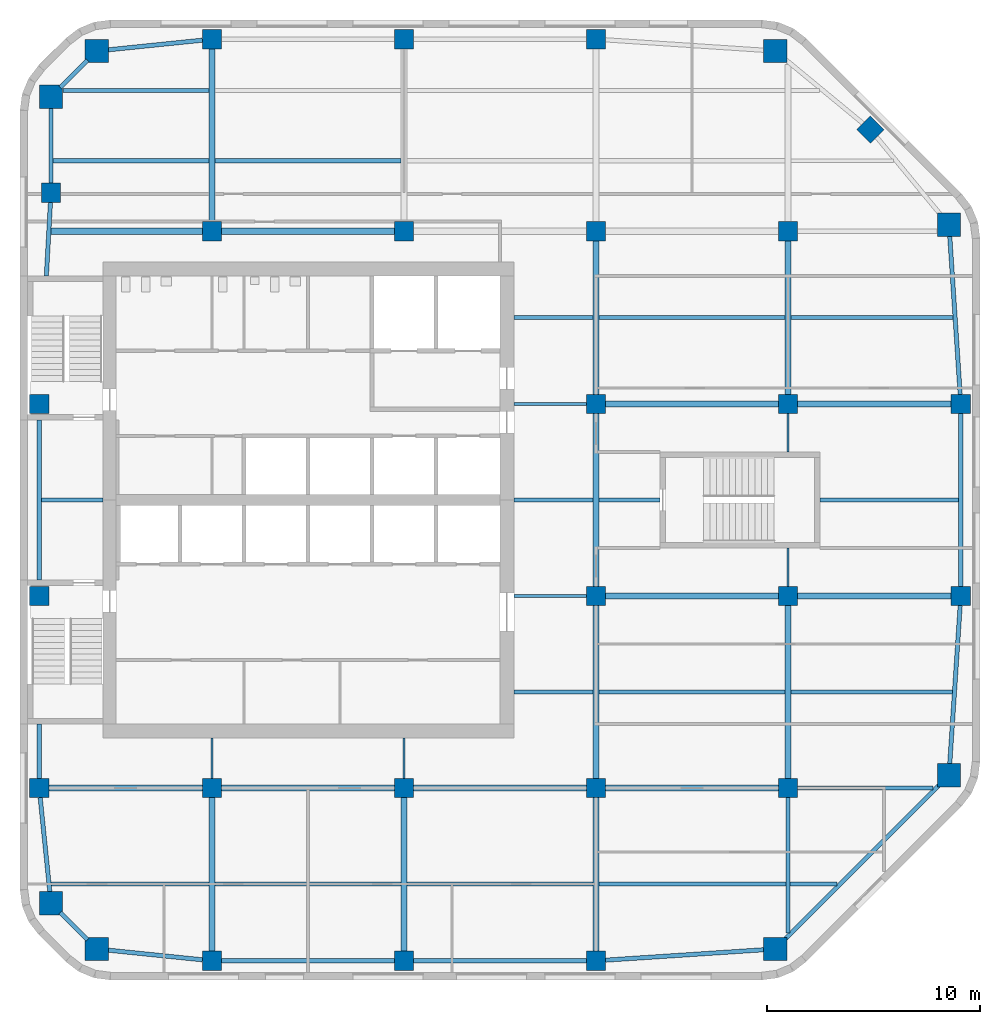
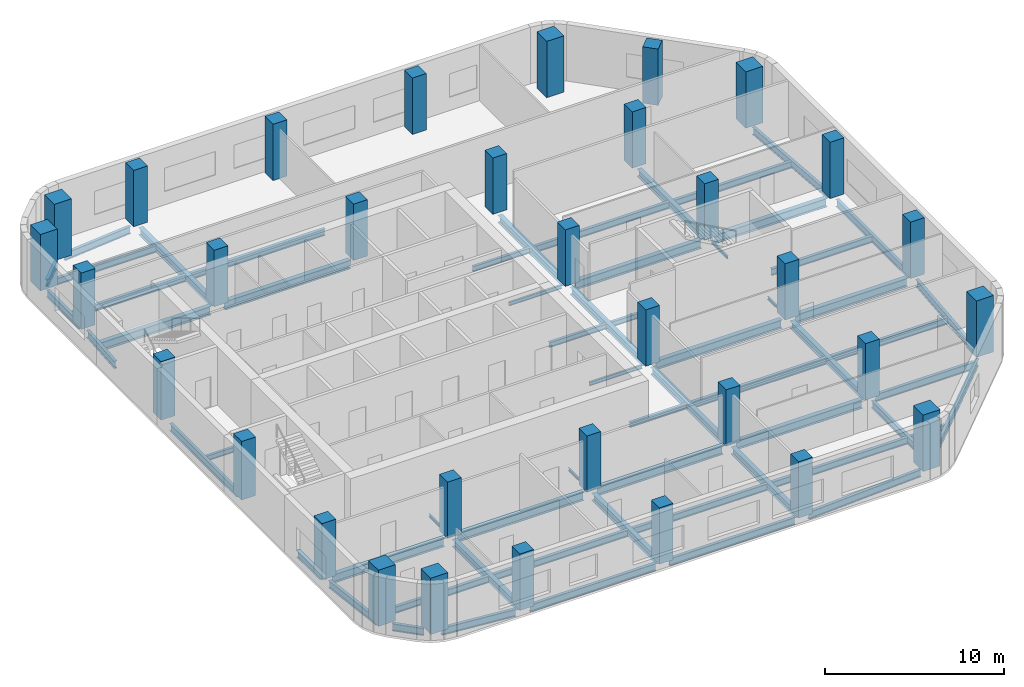
# One storey, part 1 of 8: 61 beams, 33 columns.
"""IFC4 building model written with IfcOpenShell, lengths in metres."""

from ifc_helpers import new_model, si_unit, direction, frame, origin, origin_2d, place, context, subcontext, project, spatial, rectangle, i_section, extrude, material, material_profile, profile_set, type_object, element, save


model = new_model("IFC4")

# Units and contexts
model_context = context("Model", 3, precision=1e-05, world=origin(), true_north=direction((0.0, 1.0)))
body_context = subcontext(model_context, "Body", "Model", "MODEL_VIEW")
ifc_project = project(units=[si_unit("LENGTHUNIT", "METRE"), si_unit("AREAUNIT", "SQUARE_METRE"), si_unit("VOLUMEUNIT", "CUBIC_METRE"), si_unit("PLANEANGLEUNIT", "RADIAN"), si_unit("MASSUNIT", "GRAM", prefix="KILO")], contexts=[model_context])

# Site, building, storey
site_placement = place(None, origin())
site = spatial("IfcSite", under=ifc_project, at=site_placement, CompositionType="ELEMENT")
building_placement = place(site_placement, origin())
building = spatial("IfcBuilding", under=site, at=building_placement, Name="Cinnabar Reach Civic Tower", CompositionType="ELEMENT")
storey_placement = place(building_placement, frame((0.0, 0.0, 177.0)))
storey = spatial("IfcBuildingStorey", under=building, at=storey_placement, Name="L42", CompositionType="ELEMENT", Elevation=177.0)

# Columns
ifc_material_1 = material(Name="Concrete C80", Category="concrete")
ifc_material_profile_1 = material_profile(ifc_material_1, rectangle(XDim=1.1, YDim=1.1, at=origin_2d()), Name="RC1100")
ifc_profile_set_1 = profile_set([ifc_material_profile_1], Name="Concrete C80")
column_type_1 = type_object("IfcColumnType", Name="RC1100 column R 240", PredefinedType="COLUMN", material=ifc_profile_set_1)
for number, where, z_axis, x_axis, name in (
    (1, (3.6019, 10.4531, 0.0), (0.0, 0.0, 1.0), (1.0, 0.0, 0.0), "Column T1-Z3-CC0"),
    (2, (35.3981, 10.4531, 0.0), (0.0, 0.0, 1.0), (1.0, 0.0, 0.0), "Column T1-Z3-CC1"),
    (3, (43.5469, 18.6019, 0.0), (0.0, 0.0, 1.0), (1.0, 0.0, 0.0), "Column T1-Z3-CC2"),
    (4, (43.5469, 44.3981, 0.0), (0.0, 0.0, 1.0), (1.0, 0.0, 0.0), "Column T1-Z3-CC3"),
    (5, (35.3981, 52.5469, 0.0), (0.0, 0.0, 1.0), (1.0, 0.0, 0.0), "Column T1-Z3-CC4"),
    (6, (3.6019, 52.5469, 0.0), (0.0, 0.0, 1.0), (1.0, 0.0, 0.0), "Column T1-Z3-CC5"),
    (7, (1.4531, 50.3981, 0.0), (0.0, 0.0, 1.0), (1.0, 0.0, 0.0), "Column T1-Z3-CC6"),
    (8, (1.4531, 12.6019, 0.0), (0.0, 0.0, 1.0), (1.0, 0.0, 0.0), "Column T1-Z3-CC7"),
):
    element("IfcColumn", number, at=place(storey_placement, frame(where, z_axis=z_axis, x_axis=x_axis)), inside=storey, type_object=column_type_1, Name=name, PredefinedType="COLUMN", context=body_context, shape_type="SweptSolid", body=[
        extrude(rectangle(XDim=1.1, YDim=1.1, at=origin_2d()), origin(), (0.0, 0.0, 1.0), 3.85),
    ])
ifc_material_2 = material(Name="Concrete C70", Category="concrete")
ifc_material_profile_2 = material_profile(ifc_material_2, rectangle(XDim=0.9, YDim=0.9, at=origin_2d()), Name="RC900")
ifc_profile_set_2 = profile_set([ifc_material_profile_2], Name="Concrete C70")
column_type_2 = type_object("IfcColumnType", Name="RC900 column R 240", PredefinedType="COLUMN", material=ifc_profile_set_2)
for number, where, z_axis, x_axis, name in (
    (9, (9.0, 9.9, 0.0), (0.0, 0.0, 1.0), (1.0, 0.0, 0.0), "Column T1-Z3-F0-1"),
    (10, (18.0, 9.9, 0.0), (0.0, 0.0, 1.0), (1.0, 0.0, 0.0), "Column T1-Z3-F0-2"),
    (11, (27.0, 9.9, 0.0), (0.0, 0.0, 1.0), (1.0, 0.0, 0.0), "Column T1-Z3-F0-3"),
    (12, (44.1, 27.0, 0.0), (0.0, 0.0, 1.0), (1.0, 0.0, 0.0), "Column T1-Z3-F2-3"),
    (13, (44.1, 36.0, 0.0), (0.0, 0.0, 1.0), (1.0, 0.0, 0.0), "Column T1-Z3-F2-4"),
    (14, (39.8636, 48.8636, 0.0), (0.0, 0.0, 1.0), (0.707106781187, 0.707106781187, 0.0), "Column T1-Z3-F3-M"),
    (15, (9.0, 53.1, 0.0), (0.0, 0.0, 1.0), (1.0, 0.0, 0.0), "Column T1-Z3-F4-1"),
    (16, (18.0, 53.1, 0.0), (0.0, 0.0, 1.0), (1.0, 0.0, 0.0), "Column T1-Z3-F4-2"),
    (17, (27.0, 53.1, 0.0), (0.0, 0.0, 1.0), (1.0, 0.0, 0.0), "Column T1-Z3-F4-3"),
    (18, (0.9, 18.0, 0.0), (0.0, 0.0, 1.0), (1.0, 0.0, 0.0), "Column T1-Z3-F6-2"),
):
    element("IfcColumn", number, at=place(storey_placement, frame(where, z_axis=z_axis, x_axis=x_axis)), inside=storey, type_object=column_type_2, Name=name, PredefinedType="COLUMN", context=body_context, shape_type="SweptSolid", body=[
        extrude(rectangle(XDim=0.9, YDim=0.9, at=origin_2d()), origin(), (0.0, 0.0, 1.0), 3.85),
    ])
for number, where, z_axis, x_axis, name in (
    (19, (0.9, 27.0, 0.0), (0.0, 0.0, 1.0), (1.0, 0.0, 0.0), "Column T1-Z3-F6-3"),
    (20, (0.9, 36.0, 0.0), (0.0, 0.0, 1.0), (1.0, 0.0, 0.0), "Column T1-Z3-F6-4"),
):
    element("IfcColumn", number, at=place(storey_placement, frame(where, z_axis=z_axis, x_axis=x_axis)), inside=storey, type_object=column_type_2, Name=name, PredefinedType="COLUMN", context=body_context, shape_type="SweptSolid", body=[
        extrude(rectangle(XDim=0.9, YDim=0.9, at=origin_2d()), origin(), (0.0, 0.0, 1.0), 4.0),
    ])
for number, where, z_axis, x_axis, name in (
    (21, (1.4531, 45.8981, 0.0), (0.0, 0.0, 1.0), (1.0, 0.0, 0.0), "Column T1-Z3-F6-5"),
    (22, (9.0, 18.0, 0.0), (0.0, 0.0, 1.0), (1.0, 0.0, 0.0), "Column T1-Z3-I9_18"),
    (23, (9.0, 44.1, 0.0), (0.0, 0.0, 1.0), (1.0, 0.0, 0.0), "Column T1-Z3-I9_45"),
    (24, (18.0, 18.0, 0.0), (0.0, 0.0, 1.0), (1.0, 0.0, 0.0), "Column T1-Z3-I18_18"),
    (25, (18.0, 44.1, 0.0), (0.0, 0.0, 1.0), (1.0, 0.0, 0.0), "Column T1-Z3-I18_45"),
    (26, (27.0, 18.0, 0.0), (0.0, 0.0, 1.0), (1.0, 0.0, 0.0), "Column T1-Z3-I27_18"),
    (27, (27.0, 27.0, 0.0), (0.0, 0.0, 1.0), (1.0, 0.0, 0.0), "Column T1-Z3-I27_27"),
    (28, (27.0, 36.0, 0.0), (0.0, 0.0, 1.0), (1.0, 0.0, 0.0), "Column T1-Z3-I27_36"),
    (29, (27.0, 44.1, 0.0), (0.0, 0.0, 1.0), (1.0, 0.0, 0.0), "Column T1-Z3-I27_45"),
    (30, (36.0, 18.0, 0.0), (0.0, 0.0, 1.0), (1.0, 0.0, 0.0), "Column T1-Z3-I36_18"),
    (31, (36.0, 27.0, 0.0), (0.0, 0.0, 1.0), (1.0, 0.0, 0.0), "Column T1-Z3-I36_27"),
    (32, (36.0, 36.0, 0.0), (0.0, 0.0, 1.0), (1.0, 0.0, 0.0), "Column T1-Z3-I36_36"),
    (33, (36.0, 44.1, 0.0), (0.0, 0.0, 1.0), (1.0, 0.0, 0.0), "Column T1-Z3-I36_45"),
):
    element("IfcColumn", number, at=place(storey_placement, frame(where, z_axis=z_axis, x_axis=x_axis)), inside=storey, type_object=column_type_2, Name=name, PredefinedType="COLUMN", context=body_context, shape_type="SweptSolid", body=[
        extrude(rectangle(XDim=0.9, YDim=0.9, at=origin_2d()), origin(), (0.0, 0.0, 1.0), 3.85),
    ])

# Beams
ifc_material_3 = material(Name="Steel Q355B", Category="steel")
ifc_material_profile_3 = material_profile(ifc_material_3, i_section(OverallWidth=0.3, OverallDepth=0.488, WebThickness=0.011, FlangeThickness=0.018, FilletRadius=0.016, at=origin_2d()), Name="HM488x300x11x18")
ifc_profile_set_3 = profile_set([ifc_material_profile_3], Name="Steel Q355B")
beam_type_1 = type_object("IfcBeamType", Name="HM488x300x11x18 beam R 180", PredefinedType="BEAM", material=ifc_profile_set_3)
beam_1_placement = place(storey_placement, frame((9.0, 10.352, -0.394), z_axis=(0.0, 1.0, 0.0), x_axis=(-1.0, 0.0, 0.0)))
element("IfcBeam", 34, at=beam_1_placement, inside=storey, type_object=beam_type_1, Name="Girder T1 L42 1", PredefinedType="BEAM", context=body_context, shape_type="SweptSolid", body=[
    extrude(i_section(OverallWidth=0.3, OverallDepth=0.488, WebThickness=0.011, FlangeThickness=0.018, FilletRadius=0.016, at=origin_2d()), origin(), (0.0, 0.0, 1.0), 7.196),
])
beam_2_placement = place(storey_placement, frame((9.0, 44.552, -0.394), z_axis=(0.0, 1.0, 0.0), x_axis=(-1.0, 0.0, 0.0)))
element("IfcBeam", 35, at=beam_2_placement, inside=storey, type_object=beam_type_1, Name="Girder T1 L42 3", PredefinedType="BEAM", context=body_context, shape_type="SweptSolid", body=[
    extrude(i_section(OverallWidth=0.3, OverallDepth=0.488, WebThickness=0.011, FlangeThickness=0.018, FilletRadius=0.016, at=origin_2d()), origin(), (0.0, 0.0, 1.0), 8.096),
])
for number, where, z_axis, x_axis, name in (
    (36, (18.0, 10.352, -0.394), (0.0, 1.0, 0.0), (-1.0, 0.0, 0.0), "Girder T1 L42 4"),
    (37, (27.0, 10.352, -0.394), (0.0, 1.0, 0.0), (-1.0, 0.0, 0.0), "Girder T1 L42 7"),
):
    element("IfcBeam", number, at=place(storey_placement, frame(where, z_axis=z_axis, x_axis=x_axis)), inside=storey, type_object=beam_type_1, Name=name, PredefinedType="BEAM", context=body_context, shape_type="SweptSolid", body=[
        extrude(i_section(OverallWidth=0.3, OverallDepth=0.488, WebThickness=0.011, FlangeThickness=0.018, FilletRadius=0.016, at=origin_2d()), origin(), (0.0, 0.0, 1.0), 7.196),
    ])
for number, where, z_axis, x_axis, name in (
    (38, (27.0, 18.452, -0.394), (0.0, 1.0, 0.0), (-1.0, 0.0, 0.0), "Girder T1 L42 8"),
    (39, (27.0, 27.452, -0.394), (0.0, 1.0, 0.0), (-1.0, 0.0, 0.0), "Girder T1 L42 9"),
):
    element("IfcBeam", number, at=place(storey_placement, frame(where, z_axis=z_axis, x_axis=x_axis)), inside=storey, type_object=beam_type_1, Name=name, PredefinedType="BEAM", context=body_context, shape_type="SweptSolid", body=[
        extrude(i_section(OverallWidth=0.3, OverallDepth=0.488, WebThickness=0.011, FlangeThickness=0.018, FilletRadius=0.016, at=origin_2d()), origin(), (0.0, 0.0, 1.0), 8.096),
    ])
beam_3_placement = place(storey_placement, frame((27.0, 36.452, -0.394), z_axis=(0.0, 1.0, 0.0), x_axis=(-1.0, 0.0, 0.0)))
element("IfcBeam", 40, at=beam_3_placement, inside=storey, type_object=beam_type_1, Name="Girder T1 L42 10", PredefinedType="BEAM", context=body_context, shape_type="SweptSolid", body=[
    extrude(i_section(OverallWidth=0.3, OverallDepth=0.488, WebThickness=0.011, FlangeThickness=0.018, FilletRadius=0.016, at=origin_2d()), origin(), (0.0, 0.0, 1.0), 7.196),
])
beam_4_placement = place(storey_placement, frame((36.0, 18.452, -0.394), z_axis=(0.0, 1.0, 0.0), x_axis=(-1.0, 0.0, 0.0)))
element("IfcBeam", 41, at=beam_4_placement, inside=storey, type_object=beam_type_1, Name="Girder T1 L42 13", PredefinedType="BEAM", context=body_context, shape_type="SweptSolid", body=[
    extrude(i_section(OverallWidth=0.3, OverallDepth=0.488, WebThickness=0.011, FlangeThickness=0.018, FilletRadius=0.016, at=origin_2d()), origin(), (0.0, 0.0, 1.0), 8.096),
])
beam_5_placement = place(storey_placement, frame((36.0, 36.452, -0.394), z_axis=(0.0, 1.0, 0.0), x_axis=(-1.0, 0.0, 0.0)))
element("IfcBeam", 42, at=beam_5_placement, inside=storey, type_object=beam_type_1, Name="Girder T1 L42 16", PredefinedType="BEAM", context=body_context, shape_type="SweptSolid", body=[
    extrude(i_section(OverallWidth=0.3, OverallDepth=0.488, WebThickness=0.011, FlangeThickness=0.018, FilletRadius=0.016, at=origin_2d()), origin(), (0.0, 0.0, 1.0), 7.196),
])
ifc_material_profile_4 = material_profile(ifc_material_3, i_section(OverallWidth=0.3, OverallDepth=0.588, WebThickness=0.012, FlangeThickness=0.02, FilletRadius=0.016, at=origin_2d()), Name="HM588x300x12x20")
ifc_profile_set_4 = profile_set([ifc_material_profile_4], Name="Steel Q355B")
beam_type_2 = type_object("IfcBeamType", Name="HM588x300x12x20 beam R 180", PredefinedType="BEAM", material=ifc_profile_set_4)
beam_6_placement = place(storey_placement, frame((1.352, 18.0, -0.444), z_axis=(1.0, 0.0, 0.0), x_axis=(0.0, 1.0, 0.0)))
element("IfcBeam", 43, at=beam_6_placement, inside=storey, type_object=beam_type_2, Name="Girder T1 L42 1", PredefinedType="BEAM", context=body_context, shape_type="SweptSolid", body=[
    extrude(i_section(OverallWidth=0.3, OverallDepth=0.588, WebThickness=0.012, FlangeThickness=0.02, FilletRadius=0.016, at=origin_2d()), origin(), (0.0, 0.0, 1.0), 7.196),
])
for number, where, z_axis, x_axis, name in (
    (44, (9.452, 18.0, -0.444), (1.0, 0.0, 0.0), (0.0, 1.0, 0.0), "Girder T1 L42 2"),
    (45, (18.452, 18.0, -0.444), (1.0, 0.0, 0.0), (0.0, 1.0, 0.0), "Girder T1 L42 3"),
    (46, (27.452, 18.0, -0.444), (1.0, 0.0, 0.0), (0.0, 1.0, 0.0), "Girder T1 L42 4"),
    (47, (27.452, 27.0, -0.444), (1.0, 0.0, 0.0), (0.0, 1.0, 0.0), "Girder T1 L42 7"),
):
    element("IfcBeam", number, at=place(storey_placement, frame(where, z_axis=z_axis, x_axis=x_axis)), inside=storey, type_object=beam_type_2, Name=name, PredefinedType="BEAM", context=body_context, shape_type="SweptSolid", body=[
        extrude(i_section(OverallWidth=0.3, OverallDepth=0.588, WebThickness=0.012, FlangeThickness=0.02, FilletRadius=0.016, at=origin_2d()), origin(), (0.0, 0.0, 1.0), 8.096),
    ])
beam_7_placement = place(storey_placement, frame((36.452, 27.0, -0.444), z_axis=(1.0, 0.0, 0.0), x_axis=(0.0, 1.0, 0.0)))
element("IfcBeam", 48, at=beam_7_placement, inside=storey, type_object=beam_type_2, Name="Girder T1 L42 8", PredefinedType="BEAM", context=body_context, shape_type="SweptSolid", body=[
    extrude(i_section(OverallWidth=0.3, OverallDepth=0.588, WebThickness=0.012, FlangeThickness=0.02, FilletRadius=0.016, at=origin_2d()), origin(), (0.0, 0.0, 1.0), 7.196),
])
beam_8_placement = place(storey_placement, frame((27.452, 36.0, -0.444), z_axis=(1.0, 0.0, 0.0), x_axis=(0.0, 1.0, 0.0)))
element("IfcBeam", 49, at=beam_8_placement, inside=storey, type_object=beam_type_2, Name="Girder T1 L42 10", PredefinedType="BEAM", context=body_context, shape_type="SweptSolid", body=[
    extrude(i_section(OverallWidth=0.3, OverallDepth=0.588, WebThickness=0.012, FlangeThickness=0.02, FilletRadius=0.016, at=origin_2d()), origin(), (0.0, 0.0, 1.0), 8.096),
])
beam_9_placement = place(storey_placement, frame((36.452, 36.0, -0.444), z_axis=(1.0, 0.0, 0.0), x_axis=(0.0, 1.0, 0.0)))
element("IfcBeam", 50, at=beam_9_placement, inside=storey, type_object=beam_type_2, Name="Girder T1 L42 11", PredefinedType="BEAM", context=body_context, shape_type="SweptSolid", body=[
    extrude(i_section(OverallWidth=0.3, OverallDepth=0.588, WebThickness=0.012, FlangeThickness=0.02, FilletRadius=0.016, at=origin_2d()), origin(), (0.0, 0.0, 1.0), 7.196),
])
beam_10_placement = place(storey_placement, frame((1.4548, 44.1, -0.444), z_axis=(1.0, 0.0, 0.0), x_axis=(0.0, 1.0, 0.0)))
element("IfcBeam", 51, at=beam_10_placement, inside=storey, type_object=beam_type_2, Name="Girder T1 L42 12", PredefinedType="BEAM", context=body_context, shape_type="SweptSolid", body=[
    extrude(i_section(OverallWidth=0.3, OverallDepth=0.588, WebThickness=0.012, FlangeThickness=0.02, FilletRadius=0.016, at=origin_2d()), origin(), (0.0, 0.0, 1.0), 7.0932),
])
beam_11_placement = place(storey_placement, frame((9.452, 44.1, -0.444), z_axis=(1.0, 0.0, 0.0), x_axis=(0.0, 1.0, 0.0)))
element("IfcBeam", 52, at=beam_11_placement, inside=storey, type_object=beam_type_2, Name="Girder T1 L42 13", PredefinedType="BEAM", context=body_context, shape_type="SweptSolid", body=[
    extrude(i_section(OverallWidth=0.3, OverallDepth=0.588, WebThickness=0.012, FlangeThickness=0.02, FilletRadius=0.016, at=origin_2d()), origin(), (0.0, 0.0, 1.0), 8.096),
])
ifc_material_profile_5 = material_profile(ifc_material_3, i_section(OverallWidth=0.099, OverallDepth=0.198, WebThickness=0.0045, FlangeThickness=0.007, FilletRadius=0.013, at=origin_2d()), Name="HN200x100x5.5x8")
ifc_profile_set_5 = profile_set([ifc_material_profile_5], Name="Steel Q355B")
beam_type_3 = type_object("IfcBeamType", Name="HN200x100x5.5x8 beam R 180", PredefinedType="BEAM", material=ifc_profile_set_5)
for number, where, z_axis, x_axis, name in (
    (53, (9.0, 18.452, -0.249), (0.0, 1.0, 0.0), (-1.0, 0.0, 0.0), "Girder T1 L42 2"),
    (54, (18.0, 18.452, -0.249), (0.0, 1.0, 0.0), (-1.0, 0.0, 0.0), "Girder T1 L42 5"),
):
    element("IfcBeam", number, at=place(storey_placement, frame(where, z_axis=z_axis, x_axis=x_axis)), inside=storey, type_object=beam_type_3, Name=name, PredefinedType="BEAM", context=body_context, shape_type="SweptSolid", body=[
        extrude(i_section(OverallWidth=0.099, OverallDepth=0.198, WebThickness=0.0045, FlangeThickness=0.007, FilletRadius=0.013, at=origin_2d()), origin(), (0.0, 0.0, 1.0), 1.896),
    ])
for number, where, z_axis, x_axis, name in (
    (55, (36.0, 27.452, -0.249), (0.0, 1.0, 0.0), (-1.0, 0.0, 0.0), "Girder T1 L42 14"),
    (56, (36.0, 33.752, -0.249), (0.0, 1.0, 0.0), (-1.0, 0.0, 0.0), "Girder T1 L42 15"),
):
    element("IfcBeam", number, at=place(storey_placement, frame(where, z_axis=z_axis, x_axis=x_axis)), inside=storey, type_object=beam_type_3, Name=name, PredefinedType="BEAM", context=body_context, shape_type="SweptSolid", body=[
        extrude(i_section(OverallWidth=0.099, OverallDepth=0.198, WebThickness=0.0045, FlangeThickness=0.007, FilletRadius=0.013, at=origin_2d()), origin(), (0.0, 0.0, 1.0), 1.796),
    ])
ifc_material_profile_6 = material_profile(ifc_material_3, i_section(OverallWidth=0.124, OverallDepth=0.248, WebThickness=0.005, FlangeThickness=0.008, FilletRadius=0.013, at=origin_2d()), Name="HN250x125x6x9")
ifc_profile_set_6 = profile_set([ifc_material_profile_6], Name="Steel Q355B")
beam_type_4 = type_object("IfcBeamType", Name="HN250x125x6x9 beam R 180", PredefinedType="BEAM", material=ifc_profile_set_6)
for number, where, z_axis, x_axis, name in (
    (57, (23.152, 27.0, -0.274), (1.0, 0.0, 0.0), (0.0, 1.0, 0.0), "Girder T1 L42 6"),
    (58, (23.152, 36.0, -0.274), (1.0, 0.0, 0.0), (0.0, 1.0, 0.0), "Girder T1 L42 9"),
):
    element("IfcBeam", number, at=place(storey_placement, frame(where, z_axis=z_axis, x_axis=x_axis)), inside=storey, type_object=beam_type_4, Name=name, PredefinedType="BEAM", context=body_context, shape_type="SweptSolid", body=[
        extrude(i_section(OverallWidth=0.124, OverallDepth=0.248, WebThickness=0.005, FlangeThickness=0.008, FilletRadius=0.013, at=origin_2d()), origin(), (0.0, 0.0, 1.0), 3.396),
    ])
ifc_material_profile_7 = material_profile(ifc_material_3, i_section(OverallWidth=0.175, OverallDepth=0.35, WebThickness=0.007, FlangeThickness=0.011, FilletRadius=0.013, at=origin_2d()), Name="HN350x175x7x11")
ifc_profile_set_7 = profile_set([ifc_material_profile_7], Name="Steel Q355B")
beam_type_5 = type_object("IfcBeamType", Name="HN350x175x7x11 beam R 180", PredefinedType="BEAM", material=ifc_profile_set_7)
beam_12_placement = place(storey_placement, frame((36.102, 13.5, -0.325), z_axis=(1.0, 0.0, 0.0), x_axis=(0.0, 1.0, 0.0)))
element("IfcBeam", 59, at=beam_12_placement, inside=storey, type_object=beam_type_5, Name="Secondary beam T1 L42 5", PredefinedType="BEAM", context=body_context, shape_type="SweptSolid", body=[
    extrude(i_section(OverallWidth=0.175, OverallDepth=0.35, WebThickness=0.007, FlangeThickness=0.011, FilletRadius=0.013, at=origin_2d()), origin(), (0.0, 0.0, 1.0), 2.1988),
])
beam_13_placement = place(storey_placement, frame((23.152, 22.5, -0.325), z_axis=(1.0, 0.0, 0.0), x_axis=(0.0, 1.0, 0.0)))
element("IfcBeam", 60, at=beam_13_placement, inside=storey, type_object=beam_type_5, Name="Secondary beam T1 L42 6", PredefinedType="BEAM", context=body_context, shape_type="SweptSolid", body=[
    extrude(i_section(OverallWidth=0.175, OverallDepth=0.35, WebThickness=0.007, FlangeThickness=0.011, FilletRadius=0.013, at=origin_2d()), origin(), (0.0, 0.0, 1.0), 3.696),
])
beam_14_placement = place(storey_placement, frame((1.002, 31.5, -0.325), z_axis=(1.0, 0.0, 0.0), x_axis=(0.0, 1.0, 0.0)))
element("IfcBeam", 61, at=beam_14_placement, inside=storey, type_object=beam_type_5, Name="Secondary beam T1 L42 9", PredefinedType="BEAM", context=body_context, shape_type="SweptSolid", body=[
    extrude(i_section(OverallWidth=0.175, OverallDepth=0.35, WebThickness=0.007, FlangeThickness=0.011, FilletRadius=0.013, at=origin_2d()), origin(), (0.0, 0.0, 1.0), 2.896),
])
beam_15_placement = place(storey_placement, frame((23.152, 31.5, -0.325), z_axis=(1.0, 0.0, 0.0), x_axis=(0.0, 1.0, 0.0)))
element("IfcBeam", 62, at=beam_15_placement, inside=storey, type_object=beam_type_5, Name="Secondary beam T1 L42 10", PredefinedType="BEAM", context=body_context, shape_type="SweptSolid", body=[
    extrude(i_section(OverallWidth=0.175, OverallDepth=0.35, WebThickness=0.007, FlangeThickness=0.011, FilletRadius=0.013, at=origin_2d()), origin(), (0.0, 0.0, 1.0), 3.696),
])
beam_16_placement = place(storey_placement, frame((27.152, 31.5, -0.325), z_axis=(1.0, 0.0, 0.0), x_axis=(0.0, 1.0, 0.0)))
element("IfcBeam", 63, at=beam_16_placement, inside=storey, type_object=beam_type_5, Name="Secondary beam T1 L42 11", PredefinedType="BEAM", context=body_context, shape_type="SweptSolid", body=[
    extrude(i_section(OverallWidth=0.175, OverallDepth=0.35, WebThickness=0.007, FlangeThickness=0.011, FilletRadius=0.013, at=origin_2d()), origin(), (0.0, 0.0, 1.0), 2.846),
])
beam_17_placement = place(storey_placement, frame((23.152, 40.05, -0.325), z_axis=(1.0, 0.0, 0.0), x_axis=(0.0, 1.0, 0.0)))
element("IfcBeam", 64, at=beam_17_placement, inside=storey, type_object=beam_type_5, Name="Secondary beam T1 L42 13", PredefinedType="BEAM", context=body_context, shape_type="SweptSolid", body=[
    extrude(i_section(OverallWidth=0.175, OverallDepth=0.35, WebThickness=0.007, FlangeThickness=0.011, FilletRadius=0.013, at=origin_2d()), origin(), (0.0, 0.0, 1.0), 3.696),
])
ifc_material_profile_8 = material_profile(ifc_material_3, i_section(OverallWidth=0.2, OverallDepth=0.45, WebThickness=0.009, FlangeThickness=0.014, FilletRadius=0.016, at=origin_2d()), Name="HN450x200x9x14")
ifc_profile_set_8 = profile_set([ifc_material_profile_8], Name="Steel Q355B")
beam_type_6 = type_object("IfcBeamType", Name="HN450x200x9x14 beam R 180", PredefinedType="BEAM", material=ifc_profile_set_8)
beam_18_placement = place(storey_placement, frame((1.4636, 13.5, -0.375), z_axis=(1.0, 0.0, 0.0), x_axis=(0.0, 1.0, 0.0)))
element("IfcBeam", 65, at=beam_18_placement, inside=storey, type_object=beam_type_6, Name="Secondary beam T1 L42 1", PredefinedType="BEAM", context=body_context, shape_type="SweptSolid", body=[
    extrude(i_section(OverallWidth=0.2, OverallDepth=0.45, WebThickness=0.009, FlangeThickness=0.014, FilletRadius=0.016, at=origin_2d()), origin(), (0.0, 0.0, 1.0), 7.3844),
])
for number, where, z_axis, x_axis, name in (
    (66, (9.152, 13.5, -0.375), (1.0, 0.0, 0.0), (0.0, 1.0, 0.0), "Secondary beam T1 L42 2"),
    (67, (18.152, 13.5, -0.375), (1.0, 0.0, 0.0), (0.0, 1.0, 0.0), "Secondary beam T1 L42 3"),
):
    element("IfcBeam", number, at=place(storey_placement, frame(where, z_axis=z_axis, x_axis=x_axis)), inside=storey, type_object=beam_type_6, Name=name, PredefinedType="BEAM", context=body_context, shape_type="SweptSolid", body=[
        extrude(i_section(OverallWidth=0.2, OverallDepth=0.45, WebThickness=0.009, FlangeThickness=0.014, FilletRadius=0.016, at=origin_2d()), origin(), (0.0, 0.0, 1.0), 8.696),
    ])
beam_19_placement = place(storey_placement, frame((27.152, 13.5, -0.375), z_axis=(1.0, 0.0, 0.0), x_axis=(0.0, 1.0, 0.0)))
element("IfcBeam", 68, at=beam_19_placement, inside=storey, type_object=beam_type_6, Name="Secondary beam T1 L42 4", PredefinedType="BEAM", context=body_context, shape_type="SweptSolid", body=[
    extrude(i_section(OverallWidth=0.2, OverallDepth=0.45, WebThickness=0.009, FlangeThickness=0.014, FilletRadius=0.016, at=origin_2d()), origin(), (0.0, 0.0, 1.0), 8.746),
])
beam_20_placement = place(storey_placement, frame((27.152, 22.5, -0.375), z_axis=(1.0, 0.0, 0.0), x_axis=(0.0, 1.0, 0.0)))
element("IfcBeam", 69, at=beam_20_placement, inside=storey, type_object=beam_type_6, Name="Secondary beam T1 L42 7", PredefinedType="BEAM", context=body_context, shape_type="SweptSolid", body=[
    extrude(i_section(OverallWidth=0.2, OverallDepth=0.45, WebThickness=0.009, FlangeThickness=0.014, FilletRadius=0.016, at=origin_2d()), origin(), (0.0, 0.0, 1.0), 8.696),
])
beam_21_placement = place(storey_placement, frame((36.152, 22.5, -0.375), z_axis=(1.0, 0.0, 0.0), x_axis=(0.0, 1.0, 0.0)))
element("IfcBeam", 70, at=beam_21_placement, inside=storey, type_object=beam_type_6, Name="Secondary beam T1 L42 8", PredefinedType="BEAM", context=body_context, shape_type="SweptSolid", body=[
    extrude(i_section(OverallWidth=0.2, OverallDepth=0.45, WebThickness=0.009, FlangeThickness=0.014, FilletRadius=0.016, at=origin_2d()), origin(), (0.0, 0.0, 1.0), 7.5494),
])
beam_22_placement = place(storey_placement, frame((37.502, 31.5, -0.375), z_axis=(1.0, 0.0, 0.0), x_axis=(0.0, 1.0, 0.0)))
element("IfcBeam", 71, at=beam_22_placement, inside=storey, type_object=beam_type_6, Name="Secondary beam T1 L42 12", PredefinedType="BEAM", context=body_context, shape_type="SweptSolid", body=[
    extrude(i_section(OverallWidth=0.2, OverallDepth=0.45, WebThickness=0.009, FlangeThickness=0.014, FilletRadius=0.016, at=origin_2d()), origin(), (0.0, 0.0, 1.0), 6.496),
])
beam_23_placement = place(storey_placement, frame((27.152, 40.05, -0.375), z_axis=(1.0, 0.0, 0.0), x_axis=(0.0, 1.0, 0.0)))
element("IfcBeam", 72, at=beam_23_placement, inside=storey, type_object=beam_type_6, Name="Secondary beam T1 L42 14", PredefinedType="BEAM", context=body_context, shape_type="SweptSolid", body=[
    extrude(i_section(OverallWidth=0.2, OverallDepth=0.45, WebThickness=0.009, FlangeThickness=0.014, FilletRadius=0.016, at=origin_2d()), origin(), (0.0, 0.0, 1.0), 8.696),
])
beam_24_placement = place(storey_placement, frame((36.152, 40.05, -0.375), z_axis=(1.0, 0.0, 0.0), x_axis=(0.0, 1.0, 0.0)))
element("IfcBeam", 73, at=beam_24_placement, inside=storey, type_object=beam_type_6, Name="Secondary beam T1 L42 15", PredefinedType="BEAM", context=body_context, shape_type="SweptSolid", body=[
    extrude(i_section(OverallWidth=0.2, OverallDepth=0.45, WebThickness=0.009, FlangeThickness=0.014, FilletRadius=0.016, at=origin_2d()), origin(), (0.0, 0.0, 1.0), 7.579),
])
beam_25_placement = place(storey_placement, frame((1.5551, 47.4, -0.375), z_axis=(1.0, 0.0, 0.0), x_axis=(0.0, 1.0, 0.0)))
element("IfcBeam", 74, at=beam_25_placement, inside=storey, type_object=beam_type_6, Name="Secondary beam T1 L42 16", PredefinedType="BEAM", context=body_context, shape_type="SweptSolid", body=[
    extrude(i_section(OverallWidth=0.2, OverallDepth=0.45, WebThickness=0.009, FlangeThickness=0.014, FilletRadius=0.016, at=origin_2d()), origin(), (0.0, 0.0, 1.0), 7.2929),
])
beam_26_placement = place(storey_placement, frame((9.152, 47.4, -0.375), z_axis=(1.0, 0.0, 0.0), x_axis=(0.0, 1.0, 0.0)))
element("IfcBeam", 75, at=beam_26_placement, inside=storey, type_object=beam_type_6, Name="Secondary beam T1 L42 17", PredefinedType="BEAM", context=body_context, shape_type="SweptSolid", body=[
    extrude(i_section(OverallWidth=0.2, OverallDepth=0.45, WebThickness=0.009, FlangeThickness=0.014, FilletRadius=0.016, at=origin_2d()), origin(), (0.0, 0.0, 1.0), 8.696),
])
beam_27_placement = place(storey_placement, frame((2.0051, 50.7, -0.375), z_axis=(1.0, 0.0, 0.0), x_axis=(0.0, 1.0, 0.0)))
element("IfcBeam", 76, at=beam_27_placement, inside=storey, type_object=beam_type_6, Name="Secondary beam T1 L42 21", PredefinedType="BEAM", context=body_context, shape_type="SweptSolid", body=[
    extrude(i_section(OverallWidth=0.2, OverallDepth=0.45, WebThickness=0.009, FlangeThickness=0.014, FilletRadius=0.016, at=origin_2d()), origin(), (0.0, 0.0, 1.0), 6.8429),
])
ifc_material_profile_9 = material_profile(ifc_material_3, i_section(OverallWidth=0.2, OverallDepth=0.5, WebThickness=0.01, FlangeThickness=0.016, FilletRadius=0.016, at=origin_2d()), Name="HN500x200x10x16")
ifc_profile_set_9 = profile_set([ifc_material_profile_9], Name="Steel Q355B")
beam_type_7 = type_object("IfcBeamType", Name="HN500x200x10x16 beam R 180", PredefinedType="BEAM", material=ifc_profile_set_9)
beam_28_placement = place(storey_placement, frame((4.0339, 10.4088, -0.4), z_axis=(0.994792272495, -0.101923179821, 0.0), x_axis=(0.101923179821, 0.994792272495, 0.0)))
element("IfcBeam", 77, at=beam_28_placement, inside=storey, type_object=beam_type_7, Name="Edge beam T1 L42 1", PredefinedType="BEAM", context=body_context, shape_type="SweptSolid", body=[
    extrude(i_section(OverallWidth=0.2, OverallDepth=0.5, WebThickness=0.01, FlangeThickness=0.016, FilletRadius=0.016, at=origin_2d()), origin(), (0.0, 0.0, 1.0), 4.5377),
])
for number, where, z_axis, x_axis, name in (
    (78, (9.452, 9.9, -0.4), (1.0, 0.0, 0.0), (0.0, 1.0, 0.0), "Edge beam T1 L42 2"),
    (79, (18.452, 9.9, -0.4), (1.0, 0.0, 0.0), (0.0, 1.0, 0.0), "Edge beam T1 L42 3"),
):
    element("IfcBeam", number, at=place(storey_placement, frame(where, z_axis=z_axis, x_axis=x_axis)), inside=storey, type_object=beam_type_7, Name=name, PredefinedType="BEAM", context=body_context, shape_type="SweptSolid", body=[
        extrude(i_section(OverallWidth=0.2, OverallDepth=0.5, WebThickness=0.01, FlangeThickness=0.016, FilletRadius=0.016, at=origin_2d()), origin(), (0.0, 0.0, 1.0), 8.096),
    ])
beam_29_placement = place(storey_placement, frame((27.452, 9.9298, -0.4), z_axis=(0.99783894477, 0.065707231721, 0.0), x_axis=(-0.065707231721, 0.99783894477, 0.0)))
element("IfcBeam", 80, at=beam_29_placement, inside=storey, type_object=beam_type_7, Name="Edge beam T1 L42 4", PredefinedType="BEAM", context=body_context, shape_type="SweptSolid", body=[
    extrude(i_section(OverallWidth=0.2, OverallDepth=0.5, WebThickness=0.01, FlangeThickness=0.016, FilletRadius=0.016, at=origin_2d()), origin(), (0.0, 0.0, 1.0), 7.5304),
])
beam_30_placement = place(storey_placement, frame((35.8301, 10.8851, -0.4), z_axis=(0.707106781187, 0.707106781187, 0.0), x_axis=(-0.707106781187, 0.707106781187, 0.0)))
element("IfcBeam", 81, at=beam_30_placement, inside=storey, type_object=beam_type_7, Name="Edge beam T1 L42 5", PredefinedType="BEAM", context=body_context, shape_type="SweptSolid", body=[
    extrude(i_section(OverallWidth=0.2, OverallDepth=0.5, WebThickness=0.01, FlangeThickness=0.016, FilletRadius=0.016, at=origin_2d()), origin(), (0.0, 0.0, 1.0), 10.3023),
])
beam_31_placement = place(storey_placement, frame((43.5754, 19.0339, -0.4), z_axis=(0.065707231721, 0.99783894477, 0.0), x_axis=(-0.99783894477, 0.065707231721, 0.0)))
element("IfcBeam", 82, at=beam_31_placement, inside=storey, type_object=beam_type_7, Name="Edge beam T1 L42 6", PredefinedType="BEAM", context=body_context, shape_type="SweptSolid", body=[
    extrude(i_section(OverallWidth=0.2, OverallDepth=0.5, WebThickness=0.01, FlangeThickness=0.016, FilletRadius=0.016, at=origin_2d()), origin(), (0.0, 0.0, 1.0), 7.5304),
])
beam_32_placement = place(storey_placement, frame((44.1, 27.452, -0.4), z_axis=(0.0, 1.0, 0.0), x_axis=(-1.0, 0.0, 0.0)))
element("IfcBeam", 83, at=beam_32_placement, inside=storey, type_object=beam_type_7, Name="Edge beam T1 L42 7", PredefinedType="BEAM", context=body_context, shape_type="SweptSolid", body=[
    extrude(i_section(OverallWidth=0.2, OverallDepth=0.5, WebThickness=0.01, FlangeThickness=0.016, FilletRadius=0.016, at=origin_2d()), origin(), (0.0, 0.0, 1.0), 8.096),
])
beam_33_placement = place(storey_placement, frame((44.0702, 36.452, -0.4), z_axis=(-0.065707231721, 0.99783894477, 0.0), x_axis=(-0.99783894477, -0.065707231721, 0.0)))
element("IfcBeam", 84, at=beam_33_placement, inside=storey, type_object=beam_type_7, Name="Edge beam T1 L42 8", PredefinedType="BEAM", context=body_context, shape_type="SweptSolid", body=[
    extrude(i_section(OverallWidth=0.2, OverallDepth=0.5, WebThickness=0.01, FlangeThickness=0.016, FilletRadius=0.016, at=origin_2d()), origin(), (0.0, 0.0, 1.0), 7.5304),
])
beam_34_placement = place(storey_placement, frame((8.548, 53.0537, -0.4), z_axis=(-0.994792272495, -0.101923179821, 0.0), x_axis=(0.101923179821, -0.994792272495, 0.0)))
element("IfcBeam", 85, at=beam_34_placement, inside=storey, type_object=beam_type_7, Name="Edge beam T1 L42 14", PredefinedType="BEAM", context=body_context, shape_type="SweptSolid", body=[
    extrude(i_section(OverallWidth=0.2, OverallDepth=0.5, WebThickness=0.01, FlangeThickness=0.016, FilletRadius=0.016, at=origin_2d()), origin(), (0.0, 0.0, 1.0), 4.5377),
])
beam_35_placement = place(storey_placement, frame((3.1699, 52.1149, -0.4), z_axis=(-0.707106781187, -0.707106781187, 0.0), x_axis=(0.707106781187, -0.707106781187, 0.0)))
element("IfcBeam", 86, at=beam_35_placement, inside=storey, type_object=beam_type_7, Name="Edge beam T1 L42 15", PredefinedType="BEAM", context=body_context, shape_type="SweptSolid", body=[
    extrude(i_section(OverallWidth=0.2, OverallDepth=0.5, WebThickness=0.01, FlangeThickness=0.016, FilletRadius=0.016, at=origin_2d()), origin(), (0.0, 0.0, 1.0), 1.817),
])
beam_36_placement = place(storey_placement, frame((1.4531, 49.9661, -0.4), z_axis=(0.0, -1.0, 0.0), x_axis=(1.0, 0.0, 0.0)))
element("IfcBeam", 87, at=beam_36_placement, inside=storey, type_object=beam_type_7, Name="Edge beam T1 L42 16", PredefinedType="BEAM", context=body_context, shape_type="SweptSolid", body=[
    extrude(i_section(OverallWidth=0.2, OverallDepth=0.5, WebThickness=0.01, FlangeThickness=0.016, FilletRadius=0.016, at=origin_2d()), origin(), (0.0, 0.0, 1.0), 3.616),
])
beam_37_placement = place(storey_placement, frame((1.4278, 45.4461, -0.4), z_axis=(-0.0557766862, -0.998443268932, 0.0), x_axis=(0.998443268932, -0.0557766862, 0.0)))
element("IfcBeam", 88, at=beam_37_placement, inside=storey, type_object=beam_type_7, Name="Edge beam T1 L42 17", PredefinedType="BEAM", context=body_context, shape_type="SweptSolid", body=[
    extrude(i_section(OverallWidth=0.2, OverallDepth=0.5, WebThickness=0.01, FlangeThickness=0.016, FilletRadius=0.016, at=origin_2d()), origin(), (0.0, 0.0, 1.0), 3.4495),
])
beam_38_placement = place(storey_placement, frame((0.9, 35.248, -0.4), z_axis=(0.0, -1.0, 0.0), x_axis=(1.0, 0.0, 0.0)))
element("IfcBeam", 89, at=beam_38_placement, inside=storey, type_object=beam_type_7, Name="Edge beam T1 L42 18", PredefinedType="BEAM", context=body_context, shape_type="SweptSolid", body=[
    extrude(i_section(OverallWidth=0.2, OverallDepth=0.5, WebThickness=0.01, FlangeThickness=0.016, FilletRadius=0.016, at=origin_2d()), origin(), (0.0, 0.0, 1.0), 7.496),
])
beam_39_placement = place(storey_placement, frame((0.9, 20.998, -0.4), z_axis=(0.0, -1.0, 0.0), x_axis=(1.0, 0.0, 0.0)))
element("IfcBeam", 90, at=beam_39_placement, inside=storey, type_object=beam_type_7, Name="Edge beam T1 L42 19", PredefinedType="BEAM", context=body_context, shape_type="SweptSolid", body=[
    extrude(i_section(OverallWidth=0.2, OverallDepth=0.5, WebThickness=0.01, FlangeThickness=0.016, FilletRadius=0.016, at=origin_2d()), origin(), (0.0, 0.0, 1.0), 2.546),
])
beam_40_placement = place(storey_placement, frame((0.9463, 17.548, -0.4), z_axis=(0.101923179821, -0.994792272495, 0.0), x_axis=(0.994792272495, 0.101923179821, 0.0)))
element("IfcBeam", 91, at=beam_40_placement, inside=storey, type_object=beam_type_7, Name="Edge beam T1 L42 20", PredefinedType="BEAM", context=body_context, shape_type="SweptSolid", body=[
    extrude(i_section(OverallWidth=0.2, OverallDepth=0.5, WebThickness=0.01, FlangeThickness=0.016, FilletRadius=0.016, at=origin_2d()), origin(), (0.0, 0.0, 1.0), 4.5377),
])
beam_41_placement = place(storey_placement, frame((1.8851, 12.1699, -0.4), z_axis=(0.707106781187, -0.707106781187, 0.0), x_axis=(0.707106781187, 0.707106781187, 0.0)))
element("IfcBeam", 92, at=beam_41_placement, inside=storey, type_object=beam_type_7, Name="Edge beam T1 L42 21", PredefinedType="BEAM", context=body_context, shape_type="SweptSolid", body=[
    extrude(i_section(OverallWidth=0.2, OverallDepth=0.5, WebThickness=0.01, FlangeThickness=0.016, FilletRadius=0.016, at=origin_2d()), origin(), (0.0, 0.0, 1.0), 1.817),
])
for number, where, z_axis, x_axis, name in (
    (93, (36.452, 18.0, -0.4), (1.0, 0.0, 0.0), (0.0, 1.0, 0.0), "Girder T1 L42 5"),
    (94, (36.0, 11.1992, -0.4), (0.0, 1.0, 0.0), (-1.0, 0.0, 0.0), "Girder T1 L42 12"),
):
    element("IfcBeam", number, at=place(storey_placement, frame(where, z_axis=z_axis, x_axis=x_axis)), inside=storey, type_object=beam_type_7, Name=name, PredefinedType="BEAM", context=body_context, shape_type="SweptSolid", body=[
        extrude(i_section(OverallWidth=0.2, OverallDepth=0.5, WebThickness=0.01, FlangeThickness=0.016, FilletRadius=0.016, at=origin_2d()), origin(), (0.0, 0.0, 1.0), 6.3488),
    ])

save(model, "model.ifc")
